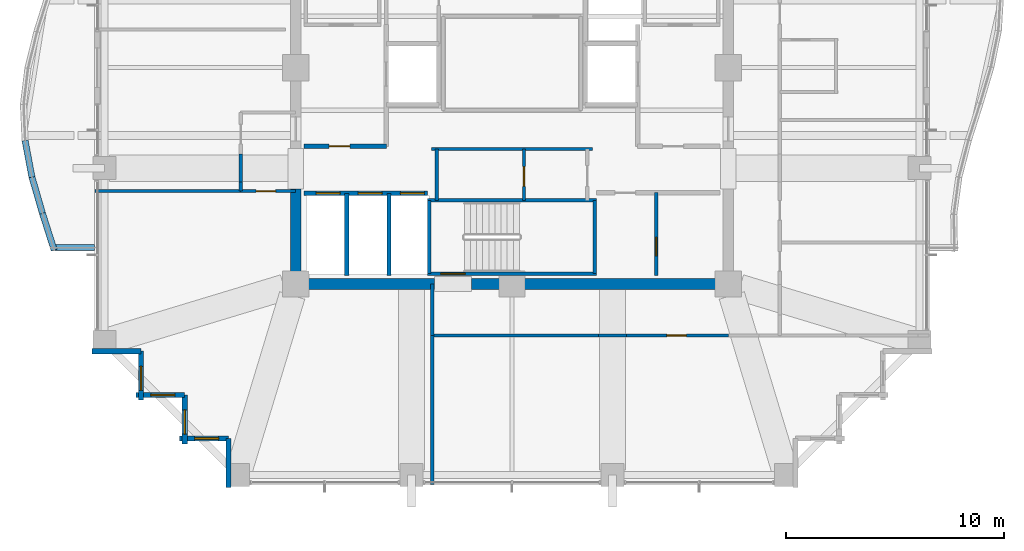
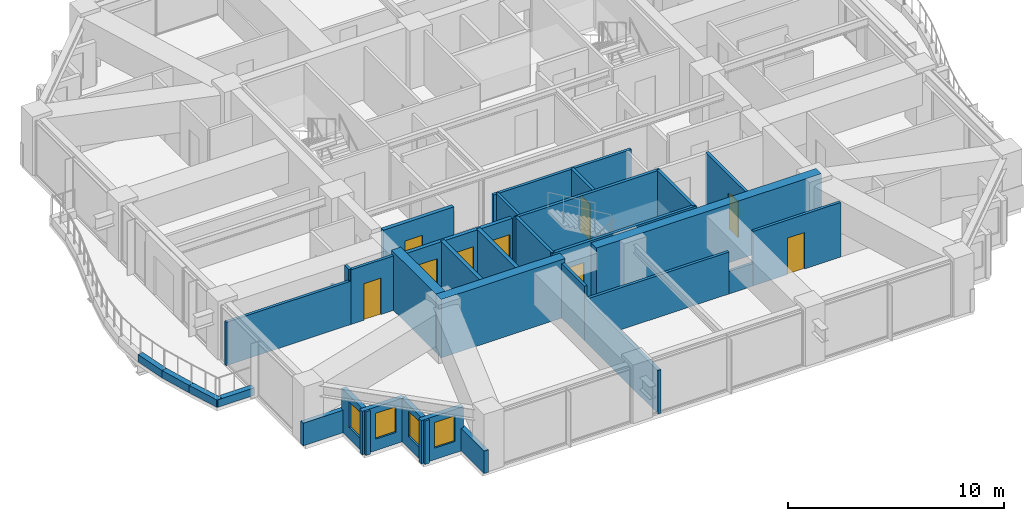
# One storey, part 30 of 36: 34 walls, 9 doors, 4 windows, 13 openings.
"""IFC4 building model written with IfcOpenShell, lengths in metres."""

from ifc_helpers import new_model, si_unit, direction, frame, frame_2d, origin, place, context, subcontext, project, spatial, rectangle, extrude, material, layer, layer_set, type_object, element, fill, save


model = new_model("IFC4")

# Units and contexts
model_context = context("Model", 3, precision=1e-05, world=origin(), true_north=direction((0.0, 1.0)))
body_context = subcontext(model_context, "Body", "Model", "MODEL_VIEW")
ifc_project = project(units=[si_unit("LENGTHUNIT", "METRE"), si_unit("AREAUNIT", "SQUARE_METRE"), si_unit("VOLUMEUNIT", "CUBIC_METRE"), si_unit("PLANEANGLEUNIT", "RADIAN"), si_unit("MASSUNIT", "GRAM", prefix="KILO")], contexts=[model_context])

# Site, building, storey
site_placement = place(None, origin())
site = spatial("IfcSite", under=ifc_project, at=site_placement, CompositionType="ELEMENT")
building_placement = place(site_placement, origin())
building = spatial("IfcBuilding", under=site, at=building_placement, Name="Kolvaren Belvedere", CompositionType="ELEMENT")
storey_placement = place(building_placement, frame((0.0, 0.0, 108.5)))
storey = spatial("IfcBuildingStorey", under=building, at=storey_placement, Name="L31", CompositionType="ELEMENT", Elevation=108.5)

# Walls
ifc_material_1 = material(Name="Concrete C50/60", Category="concrete")
ifc_layer_1 = layer(ifc_material_1, 0.5)
ifc_layer_set_1 = layer_set([ifc_layer_1], Name="Concrete C50/60")
wall_type_1 = type_object("IfcWallType", Name="CW-CORE-500", PredefinedType="SHEAR", material=ifc_layer_set_1)
wall_1_placement = place(storey_placement, frame((10.14990234375, -9.89990234375, 0.0), z_axis=(0.0, 0.0, 1.0), x_axis=(-1.0, 0.0, 0.0)))
element("IfcWall", 1, at=wall_1_placement, inside=storey, type_object=wall_type_1, Name="L31 South Core Shear Wall 1", PredefinedType="SHEAR", context=body_context, shape_type="SweptSolid", body=[
    extrude(rectangle(XDim=12.010009765625, YDim=0.5, at=frame_2d((6.0048828125, 0.0))), origin(), (0.0, 0.0, 1.0), 3.300048828125),
])
wall_2_placement = place(storey_placement, frame((-3.5400390625, -9.89990234375, 0.0), z_axis=(0.0, 0.0, 1.0), x_axis=(-1.0, 0.0, 0.0)))
element("IfcWall", 2, at=wall_2_placement, inside=storey, type_object=wall_type_1, Name="L31 South Core Shear Wall 2", PredefinedType="SHEAR", context=body_context, shape_type="SweptSolid", body=[
    extrude(rectangle(XDim=6.60986328125, YDim=0.5, at=frame_2d((3.304931640625, 0.0))), origin(), (0.0, 0.0, 1.0), 3.300048828125),
])
wall_3_placement = place(storey_placement, frame((-9.89990234375, -9.64990234375, 0.0), z_axis=(0.0, 0.0, 1.0), x_axis=(0.0, 1.0, 0.0)))
element("IfcWall", 3, at=wall_3_placement, inside=storey, type_object=wall_type_1, Name="L31 West Core Shear Wall 1", PredefinedType="SHEAR", context=body_context, shape_type="SweptSolid", body=[
    extrude(rectangle(XDim=4.099853515625, YDim=0.5, at=frame_2d((2.0498046875, 0.0))), origin(), (0.0, 0.0, 1.0), 3.300048828125),
])

# Wall, opening, door
ifc_material_2 = material(Name="Concrete C50/60", Category="concrete")
ifc_layer_2 = layer(ifc_material_2, 0.159912109375)
ifc_layer_set_2 = layer_set([ifc_layer_2], Name="Concrete C50/60")
wall_type_2 = type_object("IfcWallType", Name="CW-STAIR-160", PredefinedType="SHEAR", material=ifc_layer_set_2)
wall_4_placement = place(storey_placement, frame((3.860107421875, -9.429931640625, 0.0), z_axis=(0.0, 0.0, 1.0), x_axis=(-1.0, 0.0, 0.0)))
wall_4 = element("IfcWall", 4, at=wall_4_placement, inside=storey, type_object=wall_type_2, Name="L31 Stair ST-3 South Shear Wall", PredefinedType="SHEAR", context=body_context, shape_type="SweptSolid", body=[
    extrude(rectangle(XDim=7.72021484375, YDim=0.159912109375, at=frame_2d((3.860107421875, 0.0))), origin(), (0.0, 0.0, 1.0), 3.300048828125),
])
opening_1_placement = place(wall_4_placement, frame((6.010009765625, 0.0, 0.0)))
opening_1 = element("IfcOpeningElement", 5, at=opening_1_placement, cuts=wall_4, Name="Opening D-FD90", PredefinedType="OPENING", context=body_context, shape_type="SweptSolid", body=[
    extrude(rectangle(XDim=1.10009765625, YDim=2.199951171875, at=frame_2d((0.550048828125, 1.10009765625))), frame((0.0, 0.08984375, 0.0), z_axis=(0.0, -1.0, 0.0), x_axis=(1.0, 0.0, 0.0)), (0.0, 0.0, 1.0), 0.179931640625),
])
ifc_material_3 = material(Name="Painted hollow stainless steel", Category="steel")
door_type_1 = type_object("IfcDoorType", Name="DR-FD90-1100", OperationType="NOTDEFINED", PredefinedType="DOOR", material=ifc_material_3)
door_1_placement = place(opening_1_placement, origin())
door_1 = element("IfcDoor", 6, at=door_1_placement, inside=storey, type_object=door_type_1, Name="L31 Stair ST-3 Exit Door", OperationType="SINGLE_SWING_RIGHT", OverallHeight=2.199951171875, OverallWidth=1.10009765625, PredefinedType="DOOR", context=body_context, shape_type="SweptSolid", body=[
    extrude(rectangle(XDim=1.10009765625, YDim=2.199951171875, at=frame_2d((0.550048828125, 1.10009765625))), frame((0.0, 0.02490234375, 0.0), z_axis=(0.0, -1.0, 0.0), x_axis=(1.0, 0.0, 0.0)), (0.0, 0.0, 1.0), 0.050048828125),
])
fill(opening_1, door_1)

# Walls
wall_5_placement = place(storey_placement, frame((-3.860107421875, -6.080078125, 0.0), z_axis=(0.0, 0.0, 1.0), x_axis=(1.0, 0.0, 0.0)))
element("IfcWall", 7, at=wall_5_placement, inside=storey, type_object=wall_type_2, Name="L31 Stair ST-3 North Shear Wall", PredefinedType="SHEAR", context=body_context, shape_type="SweptSolid", body=[
    extrude(rectangle(XDim=7.72021484375, YDim=0.159912109375, at=frame_2d((3.860107421875, 0.0))), origin(), (0.0, 0.0, 1.0), 3.300048828125),
])
for number, where, z_axis, x_axis, name in (
    (8, (-3.780029296875, -9.429931640625, 0.0), (0.0, 0.0, 1.0), (0.0, 1.0, 0.0), "L31 Stair ST-3 West Shear Wall"),
    (9, (3.780029296875, -9.429931640625, 0.0), (0.0, 0.0, 1.0), (0.0, 1.0, 0.0), "L31 Stair ST-3 East Shear Wall"),
):
    element("IfcWall", number, at=place(storey_placement, frame(where, z_axis=z_axis, x_axis=x_axis)), inside=storey, type_object=wall_type_2, Name=name, PredefinedType="SHEAR", context=body_context, shape_type="SweptSolid", body=[
        extrude(rectangle(XDim=3.349853515625, YDim=0.159912109375, at=frame_2d((1.6748046875, 0.0))), origin(), (0.0, 0.0, 1.0), 3.300048828125),
    ])
ifc_material_4 = material(Name="Gypsum fire-rated partition assembly", Category="gypsum")
ifc_layer_3 = layer(ifc_material_4, 0.14990234375)
ifc_layer_set_3 = layer_set([ifc_layer_3], Name="Gypsum fire-rated partition assembly")
wall_type_3 = type_object("IfcWallType", Name="WL-CORR-150", PredefinedType="PARTITIONING", material=ifc_layer_set_3)
wall_6_placement = place(storey_placement, frame((-3.64990234375, -12.260009765625, 0.0), z_axis=(0.0, 0.0, 1.0), x_axis=(1.0, 0.0, 0.0)))
element("IfcWall", 10, at=wall_6_placement, inside=storey, type_object=wall_type_3, Name="L31 South-East Corridor Wall", PredefinedType="PARTITIONING", context=body_context, shape_type="SweptSolid", body=[
    extrude(rectangle(XDim=7.60791015625, YDim=0.14990234375, at=frame_2d((3.803955078125, 0.0))), origin(), (0.0, 0.0, 1.0), 2.368896484375),
])
wall_7_placement = place(storey_placement, frame((3.9580078125, -12.260009765625, 0.0), z_axis=(0.0, 0.0, 1.0), x_axis=(1.0, 0.0, 0.0)))
element("IfcWall", 11, at=wall_7_placement, inside=storey, type_object=wall_type_3, Name="L31 South-East Corridor Wall", PredefinedType="PARTITIONING", context=body_context, shape_type="SweptSolid", body=[
    extrude(rectangle(XDim=1.283935546875, YDim=0.14990234375, at=frame_2d((0.64208984375, 0.0))), origin(), (0.0, 0.0, 1.0), 1.264892578125),
])

# Wall, opening, door
wall_8_placement = place(storey_placement, frame((5.241943359375, -12.260009765625, 0.0), z_axis=(0.0, 0.0, 1.0), x_axis=(1.0, 0.0, 0.0)))
wall_8 = element("IfcWall", 12, at=wall_8_placement, inside=storey, type_object=wall_type_3, Name="L31 South-East Corridor Wall", PredefinedType="PARTITIONING", context=body_context, shape_type="SweptSolid", body=[
    extrude(rectangle(XDim=4.677001953125, YDim=0.14990234375, at=frame_2d((2.33837890625, 0.0))), origin(), (0.0, 0.0, 1.0), 3.080078125),
])
opening_2_placement = place(wall_8_placement, frame((1.843017578125, 0.0, 0.0)))
opening_2 = element("IfcOpeningElement", 13, at=opening_2_placement, cuts=wall_8, Name="Opening D-INT90", PredefinedType="OPENING", context=body_context, shape_type="SweptSolid", body=[
    extrude(rectangle(XDim=0.89990234375, YDim=2.06005859375, at=frame_2d((0.449951171875, 1.030029296875))), frame((0.0, 0.0849609375, 0.0), z_axis=(0.0, -1.0, 0.0), x_axis=(1.0, 0.0, 0.0)), (0.0, 0.0, 1.0), 0.169921875),
])
ifc_material_5 = material(Name="Stained Pacific white oak", Category="timber")
door_type_2 = type_object("IfcDoorType", Name="DR-INT-900", OperationType="NOTDEFINED", PredefinedType="DOOR", material=ifc_material_5)
door_2_placement = place(opening_2_placement, origin())
door_2 = element("IfcDoor", 14, at=door_2_placement, inside=storey, type_object=door_type_2, Name="L31 Lounge 3112 Door", OperationType="SINGLE_SWING_RIGHT", OverallHeight=2.06005859375, OverallWidth=0.89990234375, PredefinedType="DOOR", context=body_context, shape_type="SweptSolid", body=[
    extrude(rectangle(XDim=0.89990234375, YDim=2.06005859375, at=frame_2d((0.449951171875, 1.030029296875))), frame((0.0, 0.02490234375, 0.0), z_axis=(0.0, -1.0, 0.0), x_axis=(1.0, 0.0, 0.0)), (0.0, 0.0, 1.0), 0.050048828125),
])
fill(opening_2, door_2)

# Walls
wall_9_placement = place(storey_placement, frame((-3.64990234375, -12.260009765625, 0.0), z_axis=(0.0, 0.0, 1.0), x_axis=(0.0, 1.0, 0.0)))
element("IfcWall", 15, at=wall_9_placement, inside=storey, type_object=wall_type_3, Name="L31 South Spur West Closure Wall", PredefinedType="PARTITIONING", context=body_context, shape_type="SweptSolid", body=[
    extrude(rectangle(XDim=2.360107421875, YDim=0.14990234375, at=frame_2d((1.18017578125, 0.0))), origin(), (0.0, 0.0, 1.0), 3.080078125),
])
wall_10_placement = place(storey_placement, frame((-12.419921875, -5.64990234375, 0.0), z_axis=(0.0, 0.0, 1.0), x_axis=(0.0, 1.0, 0.0)))
element("IfcWall", 16, at=wall_10_placement, inside=storey, type_object=wall_type_3, Name="L31 West FSAE Pocket Wall", PredefinedType="PARTITIONING", context=body_context, shape_type="SweptSolid", body=[
    extrude(rectangle(XDim=0.407958984375, YDim=0.14990234375, at=frame_2d((0.2041015625, 0.0))), origin(), (0.0, 0.0, 1.0), 3.080078125),
])
wall_11_placement = place(storey_placement, frame((-12.419921875, -5.241943359375, 0.0), z_axis=(0.0, 0.0, 1.0), x_axis=(0.0, 1.0, 0.0)))
element("IfcWall", 17, at=wall_11_placement, inside=storey, type_object=wall_type_3, Name="L31 West FSAE Pocket Wall", PredefinedType="PARTITIONING", context=body_context, shape_type="SweptSolid", body=[
    extrude(rectangle(XDim=1.283935546875, YDim=0.14990234375, at=frame_2d((0.64208984375, 0.0))), origin(), (0.0, 0.0, 1.0), 1.264892578125),
])

# Wall, opening, door
wall_12_placement = place(storey_placement, frame((-12.419921875, -5.64990234375, 0.0), z_axis=(0.0, 0.0, 1.0), x_axis=(1.0, 0.0, 0.0)))
wall_12 = element("IfcWall", 18, at=wall_12_placement, inside=storey, type_object=wall_type_3, Name="L31 West Pocket South Closure Wall", PredefinedType="PARTITIONING", context=body_context, shape_type="SweptSolid", body=[
    extrude(rectangle(XDim=2.52001953125, YDim=0.14990234375, at=frame_2d((1.260009765625, 0.0))), origin(), (0.0, 0.0, 1.0), 3.080078125),
])
opening_3_placement = place(wall_12_placement, frame((0.705078125, 0.0, 0.0)))
opening_3 = element("IfcOpeningElement", 19, at=opening_3_placement, cuts=wall_12, Name="Opening D-INT90", PredefinedType="OPENING", context=body_context, shape_type="SweptSolid", body=[
    extrude(rectangle(XDim=0.89990234375, YDim=2.06005859375, at=frame_2d((0.449951171875, 1.030029296875))), frame((0.0, 0.0849609375, 0.0), z_axis=(0.0, -1.0, 0.0), x_axis=(1.0, 0.0, 0.0)), (0.0, 0.0, 1.0), 0.169921875),
])
door_3_placement = place(opening_3_placement, origin())
door_3 = element("IfcDoor", 20, at=door_3_placement, inside=storey, type_object=door_type_2, Name="L31 Lounge 3111 Door", OperationType="SINGLE_SWING_LEFT", OverallHeight=2.06005859375, OverallWidth=0.89990234375, PredefinedType="DOOR", context=body_context, shape_type="SweptSolid", body=[
    extrude(rectangle(XDim=0.89990234375, YDim=2.06005859375, at=frame_2d((0.449951171875, 1.030029296875))), frame((0.0, 0.02490234375, 0.0), z_axis=(0.0, -1.0, 0.0), x_axis=(1.0, 0.0, 0.0)), (0.0, 0.0, 1.0), 0.050048828125),
])
fill(opening_3, door_3)

# Wall
ifc_material_6 = material(Name="Insulated pale-metal facade wall assembly", Category="aluminium")
ifc_layer_4 = layer(ifc_material_6, 0.239990234375)
ifc_layer_set_4 = layer_set([ifc_layer_4], Name="Insulated pale-metal facade wall assembly")
wall_type_4 = type_object("IfcWallType", Name="WL-EXT-240", PredefinedType="STANDARD", material=ifc_layer_set_4)
wall_13_placement = place(storey_placement, frame((-16.97998046875, -12.97998046875, 0.0), z_axis=(0.0, 0.0, 1.0), x_axis=(-1.0, 0.0, 0.0)))
element("IfcWall", 21, at=wall_13_placement, inside=storey, type_object=wall_type_4, Name="L31 Serrated Corner Facade Wall 23", PredefinedType="STANDARD", context=body_context, shape_type="SweptSolid", body=[
    extrude(rectangle(XDim=2.239990234375, YDim=0.239990234375, at=frame_2d((1.1201171875, 0.0))), origin(), (0.0, 0.0, 1.0), 1.27490234375),
])

# Wall, opening, window
wall_14_placement = place(storey_placement, frame((-16.97998046875, -15.219970703125, 0.0), z_axis=(0.0, 0.0, 1.0), x_axis=(0.0, 1.0, 0.0)))
wall_14 = element("IfcWall", 22, at=wall_14_placement, inside=storey, type_object=wall_type_4, Name="L31 Serrated Corner Facade Wall 24", PredefinedType="STANDARD", context=body_context, shape_type="SweptSolid", body=[
    extrude(rectangle(XDim=2.239990234375, YDim=0.239990234375, at=frame_2d((1.1201171875, 0.0))), origin(), (0.0, 0.0, 1.0), 2.458984375),
])
opening_4_placement = place(wall_14_placement, frame((0.449951171875, 0.0, 0.64990234375)))
opening_4 = element("IfcOpeningElement", 23, at=opening_4_placement, cuts=wall_14, Name="Opening W-1100", PredefinedType="OPENING", context=body_context, shape_type="SweptSolid", body=[
    extrude(rectangle(XDim=1.10009765625, YDim=1.449951171875, at=frame_2d((0.550048828125, 0.72509765625))), frame((0.0, 0.1298828125, 0.0), z_axis=(0.0, -1.0, 0.0), x_axis=(1.0, 0.0, 0.0)), (0.0, 0.0, 1.0), 0.260009765625),
])
ifc_material_7 = material(Name="Low-iron triple insulated glass", Category="glass")
window_type = type_object("IfcWindowType", Name="WN-CORN-1100", PartitioningType="SINGLE_PANEL", PredefinedType="WINDOW", material=ifc_material_7)
window_1_placement = place(opening_4_placement, origin())
window_1 = element("IfcWindow", 24, at=window_1_placement, inside=storey, type_object=window_type, Name="L31 Serrated Corner Vision Window 24", OverallHeight=1.449951171875, OverallWidth=1.10009765625, PartitioningType="SINGLE_PANEL", PredefinedType="WINDOW", context=body_context, shape_type="SweptSolid", body=[
    extrude(rectangle(XDim=1.10009765625, YDim=1.449951171875, at=frame_2d((0.550048828125, 0.72509765625))), frame((0.0, 0.030029296875, 0.0), z_axis=(0.0, -1.0, 0.0), x_axis=(1.0, 0.0, 0.0)), (0.0, 0.0, 1.0), 0.06005859375),
])
fill(opening_4, window_1)

wall_15_placement = place(storey_placement, frame((-14.97998046875, -14.97998046875, 0.0), z_axis=(0.0, 0.0, 1.0), x_axis=(-1.0, 0.0, 0.0)))
wall_15 = element("IfcWall", 25, at=wall_15_placement, inside=storey, type_object=wall_type_4, Name="L31 Serrated Corner Facade Wall 25", PredefinedType="STANDARD", context=body_context, shape_type="SweptSolid", body=[
    extrude(rectangle(XDim=2.239990234375, YDim=0.239990234375, at=frame_2d((1.1201171875, 0.0))), origin(), (0.0, 0.0, 1.0), 2.458984375),
])
opening_5_placement = place(wall_15_placement, frame((0.449951171875, 0.0, 0.64990234375)))
opening_5 = element("IfcOpeningElement", 26, at=opening_5_placement, cuts=wall_15, Name="Opening W-1100", PredefinedType="OPENING", context=body_context, shape_type="SweptSolid", body=[
    extrude(rectangle(XDim=1.10009765625, YDim=1.449951171875, at=frame_2d((0.550048828125, 0.72509765625))), frame((0.0, 0.1298828125, 0.0), z_axis=(0.0, -1.0, 0.0), x_axis=(1.0, 0.0, 0.0)), (0.0, 0.0, 1.0), 0.260009765625),
])
window_2_placement = place(opening_5_placement, origin())
window_2 = element("IfcWindow", 27, at=window_2_placement, inside=storey, type_object=window_type, Name="L31 Serrated Corner Vision Window 25", OverallHeight=1.449951171875, OverallWidth=1.10009765625, PartitioningType="SINGLE_PANEL", PredefinedType="WINDOW", context=body_context, shape_type="SweptSolid", body=[
    extrude(rectangle(XDim=1.10009765625, YDim=1.449951171875, at=frame_2d((0.550048828125, 0.72509765625))), frame((0.0, 0.030029296875, 0.0), z_axis=(0.0, -1.0, 0.0), x_axis=(1.0, 0.0, 0.0)), (0.0, 0.0, 1.0), 0.06005859375),
])
fill(opening_5, window_2)

wall_16_placement = place(storey_placement, frame((-14.97998046875, -17.219970703125, 0.0), z_axis=(0.0, 0.0, 1.0), x_axis=(0.0, 1.0, 0.0)))
wall_16 = element("IfcWall", 28, at=wall_16_placement, inside=storey, type_object=wall_type_4, Name="L31 Serrated Corner Facade Wall 26", PredefinedType="STANDARD", context=body_context, shape_type="SweptSolid", body=[
    extrude(rectangle(XDim=2.239990234375, YDim=0.239990234375, at=frame_2d((1.1201171875, 0.0))), origin(), (0.0, 0.0, 1.0), 2.458984375),
])
opening_6_placement = place(wall_16_placement, frame((0.449951171875, 0.0, 0.64990234375)))
opening_6 = element("IfcOpeningElement", 29, at=opening_6_placement, cuts=wall_16, Name="Opening W-1100", PredefinedType="OPENING", context=body_context, shape_type="SweptSolid", body=[
    extrude(rectangle(XDim=1.10009765625, YDim=1.449951171875, at=frame_2d((0.550048828125, 0.72509765625))), frame((0.0, 0.1298828125, 0.0), z_axis=(0.0, -1.0, 0.0), x_axis=(1.0, 0.0, 0.0)), (0.0, 0.0, 1.0), 0.260009765625),
])
window_3_placement = place(opening_6_placement, origin())
window_3 = element("IfcWindow", 30, at=window_3_placement, inside=storey, type_object=window_type, Name="L31 Serrated Corner Vision Window 26", OverallHeight=1.449951171875, OverallWidth=1.10009765625, PartitioningType="SINGLE_PANEL", PredefinedType="WINDOW", context=body_context, shape_type="SweptSolid", body=[
    extrude(rectangle(XDim=1.10009765625, YDim=1.449951171875, at=frame_2d((0.550048828125, 0.72509765625))), frame((0.0, 0.030029296875, 0.0), z_axis=(0.0, -1.0, 0.0), x_axis=(1.0, 0.0, 0.0)), (0.0, 0.0, 1.0), 0.06005859375),
])
fill(opening_6, window_3)

wall_17_placement = place(storey_placement, frame((-12.97998046875, -16.97998046875, 0.0), z_axis=(0.0, 0.0, 1.0), x_axis=(-1.0, 0.0, 0.0)))
wall_17 = element("IfcWall", 31, at=wall_17_placement, inside=storey, type_object=wall_type_4, Name="L31 Serrated Corner Facade Wall 27", PredefinedType="STANDARD", context=body_context, shape_type="SweptSolid", body=[
    extrude(rectangle(XDim=2.239990234375, YDim=0.239990234375, at=frame_2d((1.1201171875, 0.0))), origin(), (0.0, 0.0, 1.0), 2.458984375),
])
opening_7_placement = place(wall_17_placement, frame((0.449951171875, 0.0, 0.64990234375)))
opening_7 = element("IfcOpeningElement", 32, at=opening_7_placement, cuts=wall_17, Name="Opening W-1100", PredefinedType="OPENING", context=body_context, shape_type="SweptSolid", body=[
    extrude(rectangle(XDim=1.10009765625, YDim=1.449951171875, at=frame_2d((0.550048828125, 0.72509765625))), frame((0.0, 0.1298828125, 0.0), z_axis=(0.0, -1.0, 0.0), x_axis=(1.0, 0.0, 0.0)), (0.0, 0.0, 1.0), 0.260009765625),
])
window_4_placement = place(opening_7_placement, origin())
window_4 = element("IfcWindow", 33, at=window_4_placement, inside=storey, type_object=window_type, Name="L31 Serrated Corner Vision Window 27", OverallHeight=1.449951171875, OverallWidth=1.10009765625, PartitioningType="SINGLE_PANEL", PredefinedType="WINDOW", context=body_context, shape_type="SweptSolid", body=[
    extrude(rectangle(XDim=1.10009765625, YDim=1.449951171875, at=frame_2d((0.550048828125, 0.72509765625))), frame((0.0, 0.030029296875, 0.0), z_axis=(0.0, -1.0, 0.0), x_axis=(1.0, 0.0, 0.0)), (0.0, 0.0, 1.0), 0.06005859375),
])
fill(opening_7, window_4)

# Wall
wall_18_placement = place(storey_placement, frame((-12.97998046875, -19.219970703125, 0.0), z_axis=(0.0, 0.0, 1.0), x_axis=(0.0, 1.0, 0.0)))
element("IfcWall", 34, at=wall_18_placement, inside=storey, type_object=wall_type_4, Name="L31 Serrated Corner Facade Wall 28", PredefinedType="STANDARD", context=body_context, shape_type="SweptSolid", body=[
    extrude(rectangle(XDim=2.239990234375, YDim=0.239990234375, at=frame_2d((1.1201171875, 0.0))), origin(), (0.0, 0.0, 1.0), 1.27490234375),
])

# Wall, opening, door
ifc_material_8 = material(Name="Gypsum acoustic partition assembly", Category="gypsum")
ifc_layer_5 = layer(ifc_material_8, 0.14990234375)
ifc_layer_set_5 = layer_set([ifc_layer_5], Name="Gypsum acoustic partition assembly")
wall_type_5 = type_object("IfcWallType", Name="WL-PART-150", PredefinedType="PARTITIONING", material=ifc_layer_set_5)
wall_19_placement = place(storey_placement, frame((6.60009765625, -9.52001953125, 0.0), z_axis=(0.0, 0.0, 1.0), x_axis=(0.0, 1.0, 0.0)))
wall_19 = element("IfcWall", 35, at=wall_19_placement, inside=storey, type_object=wall_type_5, Name="L31 SE Core Divider", PredefinedType="PARTITIONING", context=body_context, shape_type="SweptSolid", body=[
    extrude(rectangle(XDim=3.800048828125, YDim=0.14990234375, at=frame_2d((1.89990234375, 0.0))), origin(), (0.0, 0.0, 1.0), 3.080078125),
])
opening_8_placement = place(wall_19_placement, frame((0.89990234375, 0.0, 0.0)))
opening_8 = element("IfcOpeningElement", 36, at=opening_8_placement, cuts=wall_19, Name="Opening D-INT85", PredefinedType="OPENING", context=body_context, shape_type="SweptSolid", body=[
    extrude(rectangle(XDim=0.85009765625, YDim=2.030029296875, at=frame_2d((0.425048828125, 1.01513671875))), frame((0.0, 0.0849609375, 0.0), z_axis=(0.0, -1.0, 0.0), x_axis=(1.0, 0.0, 0.0)), (0.0, 0.0, 1.0), 0.169921875),
])
ifc_material_9 = material(Name="Stained Pacific white oak", Category="timber")
door_type_3 = type_object("IfcDoorType", Name="DR-INT-850", OperationType="NOTDEFINED", PredefinedType="DOOR", material=ifc_material_9)
door_4_placement = place(opening_8_placement, origin())
door_4 = element("IfcDoor", 37, at=door_4_placement, inside=storey, type_object=door_type_3, Name="L31 SE Switchboard Door", OperationType="SINGLE_SWING_LEFT", OverallHeight=2.030029296875, OverallWidth=0.85009765625, PredefinedType="DOOR", context=body_context, shape_type="SweptSolid", body=[
    extrude(rectangle(XDim=0.85009765625, YDim=2.030029296875, at=frame_2d((0.425048828125, 1.01513671875))), frame((0.0, 0.02490234375, 0.0), z_axis=(0.0, -1.0, 0.0), x_axis=(1.0, 0.0, 0.0)), (0.0, 0.0, 1.0), 0.050048828125),
])
fill(opening_8, door_4)

# Walls
wall_20_placement = place(storey_placement, frame((-3.679931640625, -3.719970703125, 0.0), z_axis=(0.0, 0.0, 1.0), x_axis=(1.0, 0.0, 0.0)))
element("IfcWall", 38, at=wall_20_placement, inside=storey, type_object=wall_type_5, Name="L31 South Core Service North Wall", PredefinedType="PARTITIONING", context=body_context, shape_type="SweptSolid", body=[
    extrude(rectangle(XDim=7.35986328125, YDim=0.14990234375, at=frame_2d((3.679931640625, 0.0))), origin(), (0.0, 0.0, 1.0), 3.080078125),
])
wall_21_placement = place(storey_placement, frame((-3.449951171875, -6.080078125, 0.0), z_axis=(0.0, 0.0, 1.0), x_axis=(0.0, 1.0, 0.0)))
element("IfcWall", 39, at=wall_21_placement, inside=storey, type_object=wall_type_5, Name="L31 South Core Service West Wall", PredefinedType="PARTITIONING", context=body_context, shape_type="SweptSolid", body=[
    extrude(rectangle(XDim=2.360107421875, YDim=0.14990234375, at=frame_2d((1.18017578125, 0.0))), origin(), (0.0, 0.0, 1.0), 3.080078125),
])

# Wall, opening, door
wall_22_placement = place(storey_placement, frame((0.550048828125, -6.080078125, 0.0), z_axis=(0.0, 0.0, 1.0), x_axis=(0.0, 1.0, 0.0)))
wall_22 = element("IfcWall", 40, at=wall_22_placement, inside=storey, type_object=wall_type_5, Name="L31 Core Service Divider", PredefinedType="PARTITIONING", context=body_context, shape_type="SweptSolid", body=[
    extrude(rectangle(XDim=2.360107421875, YDim=0.14990234375, at=frame_2d((1.18017578125, 0.0))), origin(), (0.0, 0.0, 1.0), 3.080078125),
])
opening_9_placement = place(wall_22_placement, frame((0.64990234375, 0.0, 0.0)))
opening_9 = element("IfcOpeningElement", 41, at=opening_9_placement, cuts=wall_22, Name="Opening D-INT90", PredefinedType="OPENING", context=body_context, shape_type="SweptSolid", body=[
    extrude(rectangle(XDim=0.89990234375, YDim=2.06005859375, at=frame_2d((0.449951171875, 1.030029296875))), frame((0.0, 0.0849609375, 0.0), z_axis=(0.0, -1.0, 0.0), x_axis=(1.0, 0.0, 0.0)), (0.0, 0.0, 1.0), 0.169921875),
])
door_5_placement = place(opening_9_placement, origin())
door_5 = element("IfcDoor", 42, at=door_5_placement, inside=storey, type_object=door_type_2, Name="L31 BMS Inner Door", OperationType="SINGLE_SWING_LEFT", OverallHeight=2.06005859375, OverallWidth=0.89990234375, PredefinedType="DOOR", context=body_context, shape_type="SweptSolid", body=[
    extrude(rectangle(XDim=0.89990234375, YDim=2.06005859375, at=frame_2d((0.449951171875, 1.030029296875))), frame((0.0, 0.02490234375, 0.0), z_axis=(0.0, -1.0, 0.0), x_axis=(1.0, 0.0, 0.0)), (0.0, 0.0, 1.0), 0.050048828125),
])
fill(opening_9, door_5)

# Walls
wall_23_placement = place(storey_placement, frame((-19.080078125, -5.64990234375, 0.0), z_axis=(0.0, 0.0, 1.0), x_axis=(1.0, 0.0, 0.0)))
element("IfcWall", 43, at=wall_23_placement, inside=storey, type_object=wall_type_5, Name="L31 West Mid Suite South Wall", PredefinedType="PARTITIONING", context=body_context, shape_type="SweptSolid", body=[
    extrude(rectangle(XDim=6.66015625, YDim=0.14990234375, at=frame_2d((3.330078125, 0.0))), origin(), (0.0, 0.0, 1.0), 2.448974609375),
])
wall_24_placement = place(storey_placement, frame((-3.64990234375, -19.080078125, 0.0), z_axis=(0.0, 0.0, 1.0), x_axis=(0.0, 1.0, 0.0)))
element("IfcWall", 44, at=wall_24_placement, inside=storey, type_object=wall_type_5, Name="L31 South Mid-West Wall", PredefinedType="PARTITIONING", context=body_context, shape_type="SweptSolid", body=[
    extrude(rectangle(XDim=6.820068359375, YDim=0.14990234375, at=frame_2d((3.41015625, 0.0))), origin(), (0.0, 0.0, 1.0), 2.448974609375),
])
ifc_material_10 = material(Name="Precast concrete C40/50", Category="concrete")
ifc_layer_6 = layer(ifc_material_10, 0.300048828125)
ifc_layer_set_6 = layer_set([ifc_layer_6], Name="Precast concrete C40/50")
wall_type_6 = type_object("IfcWallType", Name="WL-PLANTER-300", PredefinedType="PARAPET", material=ifc_layer_set_6)
wall_25_placement = place(storey_placement, frame((-22.287109375, -3.330322265625, -0.0400390625), z_axis=(0.0, 0.0, 1.0), x_axis=(0.184788595231, -0.982778293957, 0.0)))
element("IfcWall", 45, at=wall_25_placement, inside=storey, type_object=wall_type_6, Name="L31 Precast Structural Planter Wall BAL-W-8", PredefinedType="PARAPET", context=body_context, shape_type="SweptSolid", body=[
    extrude(rectangle(XDim=1.709716796875, YDim=0.280029296875, at=frame_2d((0.85498046875, 0.0))), origin(), (0.0, 0.0, 1.0), 0.419921875),
])
wall_26_placement = place(storey_placement, frame((-21.974609375, -4.99560546875, -0.0400390625), z_axis=(0.0, 0.0, 1.0), x_axis=(0.277817391164, -0.960633903819, 0.0)))
element("IfcWall", 46, at=wall_26_placement, inside=storey, type_object=wall_type_6, Name="L31 Precast Structural Planter Wall BAL-W-9", PredefinedType="PARAPET", context=body_context, shape_type="SweptSolid", body=[
    extrude(rectangle(XDim=1.748779296875, YDim=0.280029296875, at=frame_2d((0.87451171875, 0.0))), origin(), (0.0, 0.0, 1.0), 0.419921875),
])
wall_27_placement = place(storey_placement, frame((-21.489990234375, -6.67138671875, -0.0400390625), z_axis=(0.0, 0.0, 1.0), x_axis=(0.304032153573, -0.952661770826, 0.0)))
element("IfcWall", 47, at=wall_27_placement, inside=storey, type_object=wall_type_6, Name="L31 Precast Structural Planter Wall BAL-W-10", PredefinedType="PARAPET", context=body_context, shape_type="SweptSolid", body=[
    extrude(rectangle(XDim=1.763427734375, YDim=0.280029296875, at=frame_2d((0.8818359375, 0.0))), origin(), (0.0, 0.0, 1.0), 0.419921875),
])
wall_28_placement = place(storey_placement, frame((-21.106201171875, -8.239990234375, -0.0400390625), z_axis=(0.0, 0.0, 1.0), x_axis=(1.0, 0.0, 0.0)))
element("IfcWall", 48, at=wall_28_placement, inside=storey, type_object=wall_type_6, Name="L31 Precast Structural Planter Wall BAL-W-11", PredefinedType="PARAPET", context=body_context, shape_type="SweptSolid", body=[
    extrude(rectangle(XDim=2.006103515625, YDim=0.280029296875, at=frame_2d((1.0029296875, 0.0))), origin(), (0.0, 0.0, 1.0), 0.419921875),
])

# Wall, opening, door
ifc_material_11 = material(Name="Concrete C50/60", Category="concrete")
ifc_layer_7 = layer(ifc_material_11, 0.199951171875)
ifc_layer_set_7 = layer_set([ifc_layer_7], Name="Concrete C50/60")
wall_type_7 = type_object("IfcWallType", Name="WL-SHAFT-200", PredefinedType="SOLIDWALL", material=ifc_layer_set_7)
wall_29_placement = place(storey_placement, frame((-9.52001953125, -3.60009765625, 0.0), z_axis=(0.0, 0.0, 1.0), x_axis=(1.0, 0.0, 0.0)))
wall_29 = element("IfcWall", 49, at=wall_29_placement, inside=storey, type_object=wall_type_7, Name="L31 West FSAE Lobby South Wall", PredefinedType="SOLIDWALL", context=body_context, shape_type="SweptSolid", body=[
    extrude(rectangle(XDim=3.77001953125, YDim=0.199951171875, at=frame_2d((1.885009765625, 0.0))), origin(), (0.0, 0.0, 1.0), 3.080078125),
])
opening_10_placement = place(wall_29_placement, frame((1.14990234375, 0.0, 0.0)))
opening_10 = element("IfcOpeningElement", 50, at=opening_10_placement, cuts=wall_29, Name="Opening D-FD60", PredefinedType="OPENING", context=body_context, shape_type="SweptSolid", body=[
    extrude(rectangle(XDim=0.949951171875, YDim=2.06005859375, at=frame_2d((0.47509765625, 1.030029296875))), frame((0.0, 0.10986328125, 0.0), z_axis=(0.0, -1.0, 0.0), x_axis=(1.0, 0.0, 0.0)), (0.0, 0.0, 1.0), 0.219970703125),
])
ifc_material_12 = material(Name="Acoustic white-oak fire door leaf", Category="timber")
door_type_4 = type_object("IfcDoorType", Name="DR-FD60-950", OperationType="NOTDEFINED", PredefinedType="DOOR", material=ifc_material_12)
door_6_placement = place(opening_10_placement, origin())
door_6 = element("IfcDoor", 51, at=door_6_placement, inside=storey, type_object=door_type_4, Name="L31 Mid-Rise Lift Lobby Fire Door", OperationType="SINGLE_SWING_LEFT", OverallHeight=2.06005859375, OverallWidth=0.949951171875, PredefinedType="DOOR", context=body_context, shape_type="SweptSolid", body=[
    extrude(rectangle(XDim=0.949951171875, YDim=2.06005859375, at=frame_2d((0.47509765625, 1.030029296875))), frame((0.0, 0.02490234375, 0.0), z_axis=(0.0, -1.0, 0.0), x_axis=(1.0, 0.0, 0.0)), (0.0, 0.0, 1.0), 0.050048828125),
])
fill(opening_10, door_6)

# Wall, openings, doors
wall_30_placement = place(storey_placement, frame((-9.52001953125, -5.75, 0.0), z_axis=(0.0, 0.0, 1.0), x_axis=(1.0, 0.0, 0.0)))
wall_30 = element("IfcWall", 52, at=wall_30_placement, inside=storey, type_object=wall_type_7, Name="L31 Mid-Rise Lift Bank Front Wall", PredefinedType="SOLIDWALL", context=body_context, shape_type="SweptSolid", body=[
    extrude(rectangle(XDim=5.659912109375, YDim=0.199951171875, at=frame_2d((2.830078125, 0.0))), origin(), (0.0, 0.0, 1.0), 3.080078125),
])
opening_11_placement = place(wall_30_placement, frame((0.550048828125, 0.0, 0.0)))
opening_11 = element("IfcOpeningElement", 53, at=opening_11_placement, cuts=wall_30, Name="Opening LD-11", PredefinedType="OPENING", context=body_context, shape_type="SweptSolid", body=[
    extrude(rectangle(XDim=1.10009765625, YDim=2.199951171875, at=frame_2d((0.550048828125, 1.10009765625))), frame((0.0, 0.10986328125, 0.0), z_axis=(0.0, -1.0, 0.0), x_axis=(1.0, 0.0, 0.0)), (0.0, 0.0, 1.0), 0.219970703125),
])
opening_12_placement = place(wall_30_placement, frame((2.47998046875, 0.0, 0.0)))
opening_12 = element("IfcOpeningElement", 54, at=opening_12_placement, cuts=wall_30, Name="Opening LD-11", PredefinedType="OPENING", context=body_context, shape_type="SweptSolid", body=[
    extrude(rectangle(XDim=1.10009765625, YDim=2.199951171875, at=frame_2d((0.550048828125, 1.10009765625))), frame((0.0, 0.10986328125, 0.0), z_axis=(0.0, -1.0, 0.0), x_axis=(1.0, 0.0, 0.0)), (0.0, 0.0, 1.0), 0.219970703125),
])
opening_13_placement = place(wall_30_placement, frame((4.409912109375, 0.0, 0.0)))
opening_13 = element("IfcOpeningElement", 55, at=opening_13_placement, cuts=wall_30, Name="Opening LD-11", PredefinedType="OPENING", context=body_context, shape_type="SweptSolid", body=[
    extrude(rectangle(XDim=1.10009765625, YDim=2.199951171875, at=frame_2d((0.550048828125, 1.10009765625))), frame((0.0, 0.10986328125, 0.0), z_axis=(0.0, -1.0, 0.0), x_axis=(1.0, 0.0, 0.0)), (0.0, 0.0, 1.0), 0.219970703125),
])
ifc_material_13 = material(Name="Brushed stainless steel", Category="steel")
door_type_5 = type_object("IfcDoorType", Name="DR-LIFT-1100", OperationType="DOUBLE_DOOR_SLIDING", PredefinedType="DOOR", material=ifc_material_13)
door_7_placement = place(opening_11_placement, origin())
door_7 = element("IfcDoor", 56, at=door_7_placement, inside=storey, type_object=door_type_5, Name="L31 Passenger Lift P4 Landing Door", OperationType="DOUBLE_DOOR_SLIDING", OverallHeight=2.199951171875, OverallWidth=1.10009765625, PredefinedType="DOOR", context=body_context, shape_type="SweptSolid", body=[
    extrude(rectangle(XDim=1.10009765625, YDim=2.199951171875, at=frame_2d((0.550048828125, 1.10009765625))), frame((0.0, 0.02490234375, 0.0), z_axis=(0.0, -1.0, 0.0), x_axis=(1.0, 0.0, 0.0)), (0.0, 0.0, 1.0), 0.050048828125),
])
fill(opening_11, door_7)
door_8_placement = place(opening_12_placement, origin())
door_8 = element("IfcDoor", 57, at=door_8_placement, inside=storey, type_object=door_type_5, Name="L31 Passenger Lift P5 Landing Door", OperationType="DOUBLE_DOOR_SLIDING", OverallHeight=2.199951171875, OverallWidth=1.10009765625, PredefinedType="DOOR", context=body_context, shape_type="SweptSolid", body=[
    extrude(rectangle(XDim=1.10009765625, YDim=2.199951171875, at=frame_2d((0.550048828125, 1.10009765625))), frame((0.0, 0.02490234375, 0.0), z_axis=(0.0, -1.0, 0.0), x_axis=(1.0, 0.0, 0.0)), (0.0, 0.0, 1.0), 0.050048828125),
])
fill(opening_12, door_8)
door_9_placement = place(opening_13_placement, origin())
door_9 = element("IfcDoor", 58, at=door_9_placement, inside=storey, type_object=door_type_5, Name="L31 Passenger Lift P6 Landing Door", OperationType="DOUBLE_DOOR_SLIDING", OverallHeight=2.199951171875, OverallWidth=1.10009765625, PredefinedType="DOOR", context=body_context, shape_type="SweptSolid", body=[
    extrude(rectangle(XDim=1.10009765625, YDim=2.199951171875, at=frame_2d((0.550048828125, 1.10009765625))), frame((0.0, 0.02490234375, 0.0), z_axis=(0.0, -1.0, 0.0), x_axis=(1.0, 0.0, 0.0)), (0.0, 0.0, 1.0), 0.050048828125),
])
fill(opening_13, door_9)

# Walls
for number, where, z_axis, x_axis, name in (
    (59, (-7.56005859375, -9.52001953125, 0.0), (0.0, 0.0, 1.0), (0.0, 1.0, 0.0), "L31 Mid-Rise Hoistway Divider 1"),
    (60, (-5.6298828125, -9.52001953125, 0.0), (0.0, 0.0, 1.0), (0.0, 1.0, 0.0), "L31 Mid-Rise Hoistway Divider 2"),
):
    element("IfcWall", number, at=place(storey_placement, frame(where, z_axis=z_axis, x_axis=x_axis)), inside=storey, type_object=wall_type_7, Name=name, PredefinedType="SOLIDWALL", context=body_context, shape_type="SweptSolid", body=[
        extrude(rectangle(XDim=3.77001953125, YDim=0.199951171875, at=frame_2d((1.885009765625, 0.0))), origin(), (0.0, 0.0, 1.0), 3.080078125),
    ])

save(model, "model.ifc")
